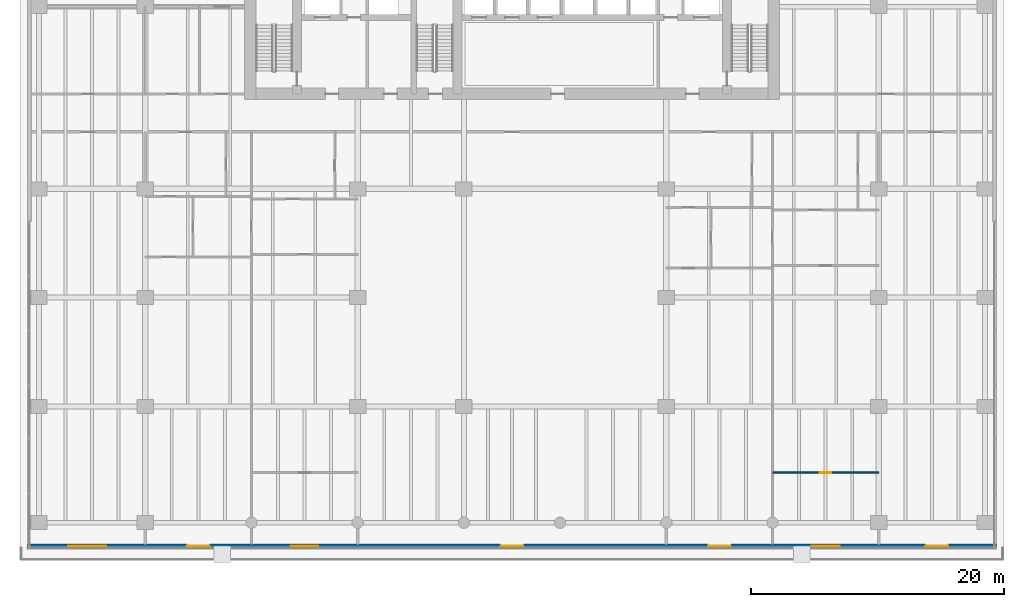
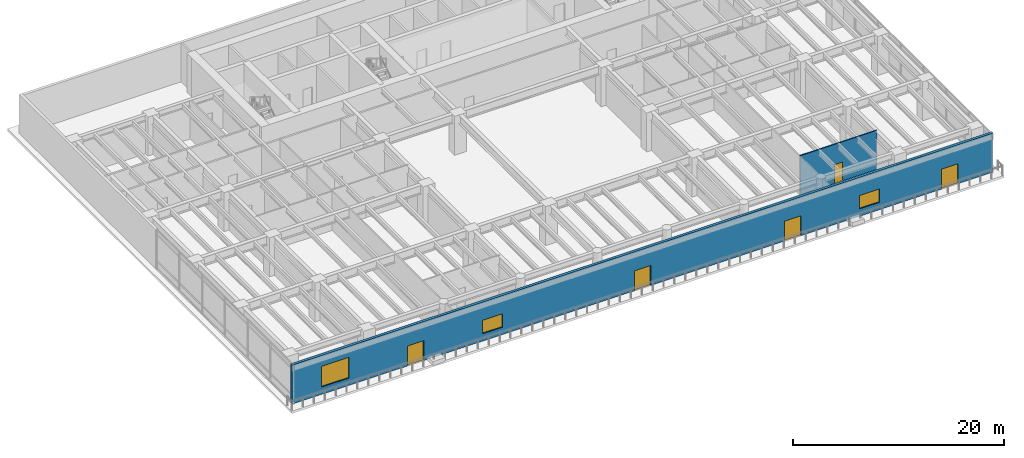
# One storey, part 7 of 17: 5 doors, 3 windows, 2 walls, 8 openings.
"""IFC4 building model written with IfcOpenShell, lengths in metres."""

from ifc_helpers import new_model, si_unit, direction, frame, frame_2d, origin, place, context, subcontext, project, spatial, rectangle, extrude, material, layer, layer_set, type_object, element, fill, save


model = new_model("IFC4")

# Units and contexts
model_context = context("Model", 3, precision=1e-05, world=origin(), true_north=direction((0.0, 1.0)))
body_context = subcontext(model_context, "Body", "Model", "MODEL_VIEW")
ifc_project = project(units=[si_unit("LENGTHUNIT", "METRE"), si_unit("AREAUNIT", "SQUARE_METRE"), si_unit("VOLUMEUNIT", "CUBIC_METRE"), si_unit("PLANEANGLEUNIT", "RADIAN"), si_unit("MASSUNIT", "GRAM", prefix="KILO")], contexts=[model_context])

# Site, building, storey
site_placement = place(None, origin())
site = spatial("IfcSite", under=ifc_project, at=site_placement, CompositionType="ELEMENT")
building_placement = place(site_placement, origin())
building = spatial("IfcBuilding", under=site, at=building_placement, Name="Caelmar Bay Residences", CompositionType="ELEMENT")
storey_placement = place(building_placement, frame((0.0, 0.0, 10.199951171875)))
storey = spatial("IfcBuildingStorey", under=building, at=storey_placement, Name="L02", CompositionType="ELEMENT", Elevation=10.199951171875)

# Wall, openings, doors, windows
ifc_material_1 = material(Name="Precast concrete f'c 40 MPa (6,000 psi)", Category="concrete")
ifc_layer_1 = layer(ifc_material_1, 0.300048828125)
ifc_layer_set_1 = layer_set([ifc_layer_1], Name="Precast concrete f'c 40 MPa (6,000 psi)")
wall_type_1 = type_object("IfcWallType", Name="W-EXT-300", PredefinedType="STANDARD", material=ifc_layer_set_1)
wall_1_placement = place(storey_placement, frame((77.199951171875, 1.14990234375, 0.0), z_axis=(0.0, 0.0, 1.0), x_axis=(-1.0, 0.0, 0.0)))
wall_1 = element("IfcWall", 1, at=wall_1_placement, inside=storey, type_object=wall_type_1, Name="L02 South Bayfront Exterior Wall", PredefinedType="STANDARD", context=body_context, shape_type="SweptSolid", body=[
    extrude(rectangle(XDim=76.599853515625, YDim=0.300048828125, at=frame_2d((38.2998046875, 0.0))), origin(), (0.0, 0.0, 1.0), 4.5),
])
opening_1_placement = place(wall_1_placement, frame((70.375, 0.0, 0.85009765625)))
opening_1 = element("IfcOpeningElement", 2, at=opening_1_placement, cuts=wall_1, Name="Opening WN4", PredefinedType="OPENING", context=body_context, shape_type="SweptSolid", body=[
    extrude(rectangle(XDim=3.0, YDim=2.39990234375, at=frame_2d((1.5, 1.199951171875))), frame((0.0, 0.159912109375, 0.0), z_axis=(0.0, -1.0, 0.0), x_axis=(1.0, 0.0, 0.0)), (0.0, 0.0, 1.0), 0.320068359375),
])
opening_2_placement = place(wall_1_placement, frame((62.199951171875, 0.0, 0.0)))
opening_2 = element("IfcOpeningElement", 3, at=opening_2_placement, cuts=wall_1, Name="Opening L02-TD01", PredefinedType="OPENING", context=body_context, shape_type="SweptSolid", body=[
    extrude(rectangle(XDim=1.800048828125, YDim=2.300048828125, at=frame_2d((0.89990234375, 1.14990234375))), frame((0.0, 0.159912109375, 0.0), z_axis=(0.0, -1.0, 0.0), x_axis=(1.0, 0.0, 0.0)), (0.0, 0.0, 1.0), 0.320068359375),
])
opening_3_placement = place(wall_1_placement, frame((53.60009765625, 0.0, 0.85009765625)))
opening_3 = element("IfcOpeningElement", 4, at=opening_3_placement, cuts=wall_1, Name="Opening WN2", PredefinedType="OPENING", context=body_context, shape_type="SweptSolid", body=[
    extrude(rectangle(XDim=2.199951171875, YDim=1.550048828125, at=frame_2d((1.10009765625, 0.77490234375))), frame((0.0, 0.159912109375, 0.0), z_axis=(0.0, -1.0, 0.0), x_axis=(1.0, 0.0, 0.0)), (0.0, 0.0, 1.0), 0.320068359375),
])
opening_4_placement = place(wall_1_placement, frame((37.39990234375, 0.0, 0.0)))
opening_4 = element("IfcOpeningElement", 5, at=opening_4_placement, cuts=wall_1, Name="Opening L02-TD02", PredefinedType="OPENING", context=body_context, shape_type="SweptSolid", body=[
    extrude(rectangle(XDim=1.800048828125, YDim=2.300048828125, at=frame_2d((0.89990234375, 1.14990234375))), frame((0.0, 0.159912109375, 0.0), z_axis=(0.0, -1.0, 0.0), x_axis=(1.0, 0.0, 0.0)), (0.0, 0.0, 1.0), 0.320068359375),
])
opening_5_placement = place(wall_1_placement, frame((21.0, 0.0, 0.0)))
opening_5 = element("IfcOpeningElement", 6, at=opening_5_placement, cuts=wall_1, Name="Opening L02-TD03", PredefinedType="OPENING", context=body_context, shape_type="SweptSolid", body=[
    extrude(rectangle(XDim=1.800048828125, YDim=2.300048828125, at=frame_2d((0.89990234375, 1.14990234375))), frame((0.0, 0.159912109375, 0.0), z_axis=(0.0, -1.0, 0.0), x_axis=(1.0, 0.0, 0.0)), (0.0, 0.0, 1.0), 0.320068359375),
])
opening_6_placement = place(wall_1_placement, frame((12.39990234375, 0.0, 0.85009765625)))
opening_6 = element("IfcOpeningElement", 7, at=opening_6_placement, cuts=wall_1, Name="Opening WN2", PredefinedType="OPENING", context=body_context, shape_type="SweptSolid", body=[
    extrude(rectangle(XDim=2.199951171875, YDim=1.550048828125, at=frame_2d((1.10009765625, 0.77490234375))), frame((0.0, 0.159912109375, 0.0), z_axis=(0.0, -1.0, 0.0), x_axis=(1.0, 0.0, 0.0)), (0.0, 0.0, 1.0), 0.320068359375),
])
opening_7_placement = place(wall_1_placement, frame((3.824951171875, 0.0, 0.0)))
opening_7 = element("IfcOpeningElement", 8, at=opening_7_placement, cuts=wall_1, Name="Opening L02-TD04", PredefinedType="OPENING", context=body_context, shape_type="SweptSolid", body=[
    extrude(rectangle(XDim=1.800048828125, YDim=2.300048828125, at=frame_2d((0.89990234375, 1.14990234375))), frame((0.0, 0.159912109375, 0.0), z_axis=(0.0, -1.0, 0.0), x_axis=(1.0, 0.0, 0.0)), (0.0, 0.0, 1.0), 0.320068359375),
])
ifc_material_2 = material(Name="Anodised bronze sliding terrace door")
ifc_layer_2 = layer(ifc_material_2, 0.050048828125)
ifc_layer_set_2 = layer_set([ifc_layer_2], Name="Anodised bronze sliding terrace door")
door_type_1 = type_object("IfcDoorType", Name="D-TER-1800", OperationType="DOUBLE_DOOR_SLIDING", PredefinedType="DOOR", material=ifc_layer_set_2)
door_1_placement = place(opening_2_placement, origin())
door_1 = element("IfcDoor", 9, at=door_1_placement, inside=storey, type_object=door_type_1, Name="L02 Podium Terrace Door", OperationType="DOUBLE_DOOR_SLIDING", OverallHeight=2.300048828125, OverallWidth=1.800048828125, PredefinedType="DOOR", context=body_context, shape_type="SweptSolid", body=[
    extrude(rectangle(XDim=1.800048828125, YDim=2.300048828125, at=frame_2d((0.89990234375, 1.14990234375))), frame((0.0, 0.02490234375, 0.0), z_axis=(0.0, -1.0, 0.0), x_axis=(1.0, 0.0, 0.0)), (0.0, 0.0, 1.0), 0.050048828125),
])
fill(opening_2, door_1)
door_2_placement = place(opening_4_placement, origin())
door_2 = element("IfcDoor", 10, at=door_2_placement, inside=storey, type_object=door_type_1, Name="L02 Podium Terrace Door", OperationType="DOUBLE_DOOR_SLIDING", OverallHeight=2.300048828125, OverallWidth=1.800048828125, PredefinedType="DOOR", context=body_context, shape_type="SweptSolid", body=[
    extrude(rectangle(XDim=1.800048828125, YDim=2.300048828125, at=frame_2d((0.89990234375, 1.14990234375))), frame((0.0, 0.02490234375, 0.0), z_axis=(0.0, -1.0, 0.0), x_axis=(1.0, 0.0, 0.0)), (0.0, 0.0, 1.0), 0.050048828125),
])
fill(opening_4, door_2)
door_3_placement = place(opening_5_placement, origin())
door_3 = element("IfcDoor", 11, at=door_3_placement, inside=storey, type_object=door_type_1, Name="L02 Podium Terrace Door", OperationType="DOUBLE_DOOR_SLIDING", OverallHeight=2.300048828125, OverallWidth=1.800048828125, PredefinedType="DOOR", context=body_context, shape_type="SweptSolid", body=[
    extrude(rectangle(XDim=1.800048828125, YDim=2.300048828125, at=frame_2d((0.89990234375, 1.14990234375))), frame((0.0, 0.02490234375, 0.0), z_axis=(0.0, -1.0, 0.0), x_axis=(1.0, 0.0, 0.0)), (0.0, 0.0, 1.0), 0.050048828125),
])
fill(opening_5, door_3)
door_4_placement = place(opening_7_placement, origin())
door_4 = element("IfcDoor", 12, at=door_4_placement, inside=storey, type_object=door_type_1, Name="L02 Podium Terrace Door", OperationType="DOUBLE_DOOR_SLIDING", OverallHeight=2.300048828125, OverallWidth=1.800048828125, PredefinedType="DOOR", context=body_context, shape_type="SweptSolid", body=[
    extrude(rectangle(XDim=1.800048828125, YDim=2.300048828125, at=frame_2d((0.89990234375, 1.14990234375))), frame((0.0, 0.02490234375, 0.0), z_axis=(0.0, -1.0, 0.0), x_axis=(1.0, 0.0, 0.0)), (0.0, 0.0, 1.0), 0.050048828125),
])
fill(opening_7, door_4)
ifc_material_3 = material(Name="Bronze aluminium frame with laminated low-E glass", Category="aluminium")
ifc_layer_3 = layer(ifc_material_3, 0.06005859375)
ifc_layer_set_3 = layer_set([ifc_layer_3], Name="Bronze aluminium frame with laminated low-E glass")
window_type_1 = type_object("IfcWindowType", Name="WIN-BR-2200", PartitioningType="SINGLE_PANEL", PredefinedType="WINDOW", material=ifc_layer_set_3)
window_1_placement = place(opening_3_placement, origin())
window_1 = element("IfcWindow", 13, at=window_1_placement, inside=storey, type_object=window_type_1, Name="L02 Residence 2A Primary Bedroom 1 Window", OverallHeight=1.550048828125, OverallWidth=2.199951171875, PartitioningType="SINGLE_PANEL", PredefinedType="WINDOW", context=body_context, shape_type="SweptSolid", body=[
    extrude(rectangle(XDim=2.199951171875, YDim=1.550048828125, at=frame_2d((1.10009765625, 0.77490234375))), frame((0.0, 0.030029296875, 0.0), z_axis=(0.0, -1.0, 0.0), x_axis=(1.0, 0.0, 0.0)), (0.0, 0.0, 1.0), 0.06005859375),
])
fill(opening_3, window_1)
window_2_placement = place(opening_6_placement, origin())
window_2 = element("IfcWindow", 14, at=window_2_placement, inside=storey, type_object=window_type_1, Name="L02 Residence 2B Primary Bedroom 1 Window", OverallHeight=1.550048828125, OverallWidth=2.199951171875, PartitioningType="SINGLE_PANEL", PredefinedType="WINDOW", context=body_context, shape_type="SweptSolid", body=[
    extrude(rectangle(XDim=2.199951171875, YDim=1.550048828125, at=frame_2d((1.10009765625, 0.77490234375))), frame((0.0, 0.030029296875, 0.0), z_axis=(0.0, -1.0, 0.0), x_axis=(1.0, 0.0, 0.0)), (0.0, 0.0, 1.0), 0.06005859375),
])
fill(opening_6, window_2)
ifc_layer_4 = layer(ifc_material_3, 0.06005859375)
ifc_layer_set_4 = layer_set([ifc_layer_4], Name="Bronze aluminium frame with laminated low-E glass")
window_type_2 = type_object("IfcWindowType", Name="WIN-POD-3000", PartitioningType="SINGLE_PANEL", PredefinedType="WINDOW", material=ifc_layer_set_4)
window_3_placement = place(opening_1_placement, origin())
window_3 = element("IfcWindow", 15, at=window_3_placement, inside=storey, type_object=window_type_2, Name="L02 West Co-Working Lounge L02 Window", OverallHeight=2.39990234375, OverallWidth=3.0, PartitioningType="SINGLE_PANEL", PredefinedType="WINDOW", context=body_context, shape_type="SweptSolid", body=[
    extrude(rectangle(XDim=3.0, YDim=2.39990234375, at=frame_2d((1.5, 1.199951171875))), frame((0.0, 0.030029296875, 0.0), z_axis=(0.0, -1.0, 0.0), x_axis=(1.0, 0.0, 0.0)), (0.0, 0.0, 1.0), 0.06005859375),
])
fill(opening_1, window_3)

# Wall, opening, door
ifc_material_4 = material(Name="Acoustic metal-stud gypsum partition 120 mm")
ifc_layer_5 = layer(ifc_material_4, 0.1201171875)
ifc_layer_set_5 = layer_set([ifc_layer_5], Name="Acoustic metal-stud gypsum partition 120 mm")
wall_type_2 = type_object("IfcWallType", Name="W-PRT-120", PredefinedType="PARTITIONING", material=ifc_layer_set_5)
wall_2_placement = place(storey_placement, frame((59.5, 6.949951171875, 0.0), z_axis=(0.0, 0.0, 1.0), x_axis=(1.0, 0.0, 0.0)))
wall_2 = element("IfcWall", 16, at=wall_2_placement, inside=storey, type_object=wall_type_2, Name="L02 Partition Wall H035", PredefinedType="PARTITIONING", context=body_context, shape_type="SweptSolid", body=[
    extrude(rectangle(XDim=8.39990234375, YDim=0.1201171875, at=frame_2d((4.199951171875, 0.0))), origin(), (0.0, 0.0, 1.0), 4.5),
])
opening_8_placement = place(wall_2_placement, frame((3.75, 0.0, 0.0)))
opening_8 = element("IfcOpeningElement", 17, at=opening_8_placement, cuts=wall_2, Name="Opening D-L02-142", PredefinedType="OPENING", context=body_context, shape_type="SweptSolid", body=[
    extrude(rectangle(XDim=0.89990234375, YDim=2.14990234375, at=frame_2d((0.449951171875, 1.074951171875))), frame((0.0, 0.070068359375, 0.0), z_axis=(0.0, -1.0, 0.0), x_axis=(1.0, 0.0, 0.0)), (0.0, 0.0, 1.0), 0.14013671875),
])
ifc_material_5 = material(Name="Solid walnut timber interior door leaf and frame", Category="wood")
ifc_layer_6 = layer(ifc_material_5, 0.050048828125)
ifc_layer_set_6 = layer_set([ifc_layer_6], Name="Solid walnut timber interior door leaf and frame")
door_type_2 = type_object("IfcDoorType", Name="D-ROOM-900", OperationType="NOTDEFINED", PredefinedType="DOOR", material=ifc_layer_set_6)
door_5_placement = place(opening_8_placement, origin())
door_5 = element("IfcDoor", 18, at=door_5_placement, inside=storey, type_object=door_type_2, Name="L02 Residence 2B Primary Bedroom 1 Door", OperationType="SINGLE_SWING_RIGHT", OverallHeight=2.14990234375, OverallWidth=0.89990234375, PredefinedType="DOOR", context=body_context, shape_type="SweptSolid", body=[
    extrude(rectangle(XDim=0.89990234375, YDim=2.14990234375, at=frame_2d((0.449951171875, 1.074951171875))), frame((0.0, 0.02490234375, 0.0), z_axis=(0.0, -1.0, 0.0), x_axis=(1.0, 0.0, 0.0)), (0.0, 0.0, 1.0), 0.050048828125),
])
fill(opening_8, door_5)

save(model, "model.ifc")
